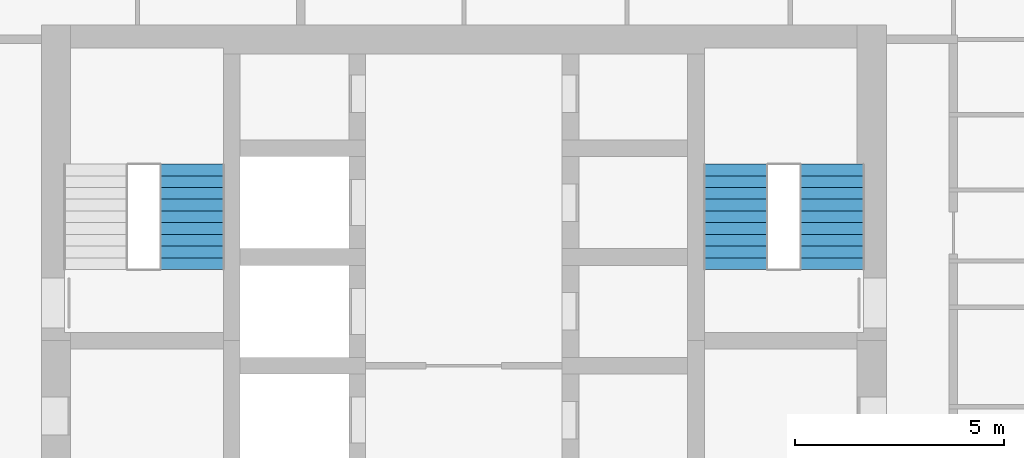
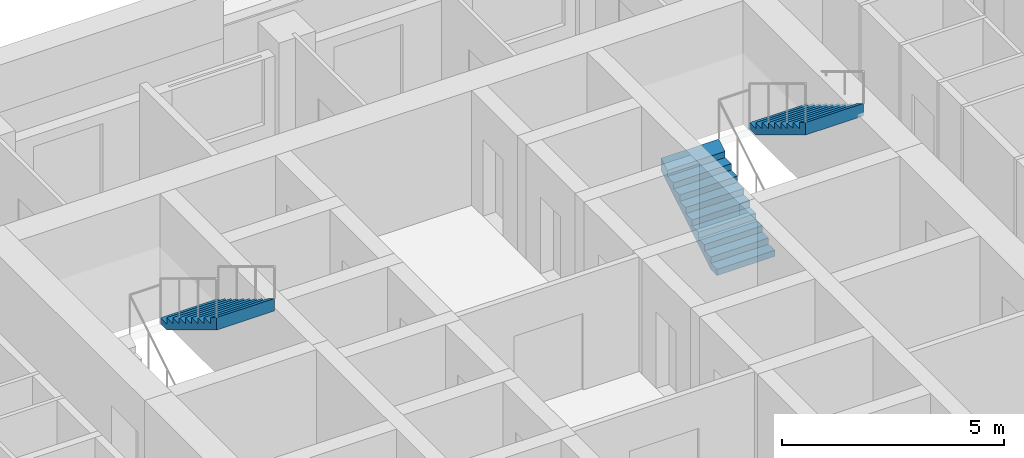
# One storey, part 15 of 18: 3 stair flights, 2 elements without a shape of their own.
"""IFC4 building model written with IfcOpenShell, lengths in metres."""

from ifc_helpers import new_model, si_unit, direction, frame, origin, place, context, subcontext, project, spatial, triangles, material, type_object, element, aggregate, save


model = new_model("IFC4")

# Units and contexts
model_context = context("Model", 3, precision=1e-05, world=origin(), true_north=direction((0.0, 1.0)))
body_context = subcontext(model_context, "Body", "Model", "MODEL_VIEW")
ifc_project = project(units=[si_unit("LENGTHUNIT", "METRE"), si_unit("AREAUNIT", "SQUARE_METRE"), si_unit("VOLUMEUNIT", "CUBIC_METRE"), si_unit("PLANEANGLEUNIT", "RADIAN"), si_unit("MASSUNIT", "GRAM", prefix="KILO")], contexts=[model_context])

# Site, building, storey
site_placement = place(None, origin())
site = spatial("IfcSite", under=ifc_project, at=site_placement, CompositionType="ELEMENT")
building_placement = place(site_placement, origin())
building = spatial("IfcBuilding", under=site, at=building_placement, Name="Ludao Terraces", CompositionType="ELEMENT")
storey_placement = place(building_placement, frame((0.0, 0.0, 58.0)))
storey = spatial("IfcBuildingStorey", under=building, at=storey_placement, Name="L15", CompositionType="ELEMENT", Elevation=58.0)

# Stair, stair flight
ifc_material = material(Name="Concrete C40", Category="concrete")
stair_type = type_object("IfcStairType", Name="INT Stair", PredefinedType="HALF_TURN_STAIR", material=ifc_material)
stair_1_placement = place(storey_placement, origin())
stair_1 = element("IfcStair", 1, at=stair_1_placement, inside=storey, type_object=stair_type, Name="EXIT STAIR 1", PredefinedType="HALF_TURN_STAIR")
stair_flight_type = type_object("IfcStairFlightType", Name="INT Stair flight", PredefinedType="STRAIGHT", material=ifc_material)
stair_flight_1_placement = place(storey_placement, frame((78.5, 81.52001953125, 1.699951171875), z_axis=(0.0, 0.0, 1.0), x_axis=(0.0, -1.0, 0.0)))
stair_flight_1 = element("IfcStairFlight", 2, at=stair_flight_1_placement, type_object=stair_flight_type, Name="ST1 flight 2", NumberOfRisers=10, NumberOfTreads=9, PredefinedType="STRAIGHT", RiserHeight=0.17, TreadLength=0.28, context=body_context, shape_type="Tessellation", body=[
    triangles([(0.0, -0.75, 0.0), (0.0, -0.5, 0.0), (0.0, -0.25, 0.0), (0.0, 0.0, 0.0), (0.0, 0.25, 0.0), (0.0, 0.5, 0.0), (0.0, 0.75, 0.0), (0.0, -0.75, 0.169921875), (0.0, -0.5, 0.169921875), (0.0, -0.25, 0.169921875), (0.0, 0.0, 0.169921875), (0.0, 0.25, 0.169921875), (0.0, 0.5, 0.169921875), (0.0, 0.75, 0.169921875), (0.280029296875, -0.75, 0.169921875), (0.280029296875, -0.5, 0.169921875), (0.280029296875, -0.25, 0.169921875), (0.280029296875, 0.0, 0.169921875), (0.280029296875, 0.25, 0.169921875), (0.280029296875, 0.5, 0.169921875), (0.280029296875, 0.75, 0.169921875), (0.280029296875, -0.75, 0.340087890625), (0.280029296875, -0.5, 0.340087890625), (0.280029296875, -0.25, 0.340087890625), (0.280029296875, 0.0, 0.340087890625), (0.280029296875, 0.25, 0.340087890625), (0.280029296875, 0.5, 0.340087890625), (0.280029296875, 0.75, 0.340087890625), (0.56005859375, -0.75, 0.340087890625), (0.56005859375, -0.5, 0.340087890625), (0.56005859375, -0.25, 0.340087890625), (0.56005859375, 0.0, 0.340087890625), (0.56005859375, 0.25, 0.340087890625), (0.56005859375, 0.5, 0.340087890625), (0.56005859375, 0.75, 0.340087890625), (0.56005859375, -0.75, 0.510009765625), (0.56005859375, -0.5, 0.510009765625), (0.56005859375, -0.25, 0.510009765625), (0.56005859375, 0.0, 0.510009765625), (0.56005859375, 0.25, 0.510009765625), (0.56005859375, 0.5, 0.510009765625), (0.56005859375, 0.75, 0.510009765625), (0.840087890625, -0.75, 0.510009765625), (0.840087890625, -0.5, 0.510009765625), (0.840087890625, -0.25, 0.510009765625), (0.840087890625, 0.0, 0.510009765625), (0.840087890625, 0.25, 0.510009765625), (0.840087890625, 0.5, 0.510009765625), (0.840087890625, 0.75, 0.510009765625), (0.840087890625, -0.75, 0.679931640625), (0.840087890625, -0.5, 0.679931640625), (0.840087890625, -0.25, 0.679931640625), (0.840087890625, 0.0, 0.679931640625), (0.840087890625, 0.25, 0.679931640625), (0.840087890625, 0.5, 0.679931640625), (0.840087890625, 0.75, 0.679931640625), (1.1201171875, -0.75, 0.679931640625), (1.1201171875, -0.5, 0.679931640625), (1.1201171875, -0.25, 0.679931640625), (1.1201171875, 0.0, 0.679931640625), (1.1201171875, 0.25, 0.679931640625), (1.1201171875, 0.5, 0.679931640625), (1.1201171875, 0.75, 0.679931640625), (1.1201171875, -0.75, 0.85009765625), (1.1201171875, -0.5, 0.85009765625), (1.1201171875, -0.25, 0.85009765625), (1.1201171875, 0.0, 0.85009765625), (1.1201171875, 0.25, 0.85009765625), (1.1201171875, 0.5, 0.85009765625), (1.1201171875, 0.75, 0.85009765625), (1.39990234375, -0.75, 0.85009765625), (1.39990234375, -0.5, 0.85009765625), (1.39990234375, -0.25, 0.85009765625), (1.39990234375, 0.0, 0.85009765625), (1.39990234375, 0.25, 0.85009765625), (1.39990234375, 0.5, 0.85009765625), (1.39990234375, 0.75, 0.85009765625), (1.39990234375, -0.75, 1.02001953125), (1.39990234375, -0.5, 1.02001953125), (1.39990234375, -0.25, 1.02001953125), (1.39990234375, 0.0, 1.02001953125), (1.39990234375, 0.25, 1.02001953125), (1.39990234375, 0.5, 1.02001953125), (1.39990234375, 0.75, 1.02001953125), (1.679931640625, -0.75, 1.02001953125), (1.679931640625, -0.5, 1.02001953125), (1.679931640625, -0.25, 1.02001953125), (1.679931640625, 0.0, 1.02001953125), (1.679931640625, 0.25, 1.02001953125), (1.679931640625, 0.5, 1.02001953125), (1.679931640625, 0.75, 1.02001953125), (1.679931640625, -0.75, 1.18994140625), (1.679931640625, -0.5, 1.18994140625), (1.679931640625, -0.25, 1.18994140625), (1.679931640625, 0.0, 1.18994140625), (1.679931640625, 0.25, 1.18994140625), (1.679931640625, 0.5, 1.18994140625), (1.679931640625, 0.75, 1.18994140625), (1.9599609375, -0.75, 1.18994140625), (1.9599609375, -0.5, 1.18994140625), (1.9599609375, -0.25, 1.18994140625), (1.9599609375, 0.0, 1.18994140625), (1.9599609375, 0.25, 1.18994140625), (1.9599609375, 0.5, 1.18994140625), (1.9599609375, 0.75, 1.18994140625), (1.9599609375, -0.75, 1.360107421875), (1.9599609375, -0.5, 1.360107421875), (1.9599609375, -0.25, 1.360107421875), (1.9599609375, 0.0, 1.360107421875), (1.9599609375, 0.25, 1.360107421875), (1.9599609375, 0.5, 1.360107421875), (1.9599609375, 0.75, 1.360107421875), (2.239990234375, -0.75, 1.360107421875), (2.239990234375, -0.5, 1.360107421875), (2.239990234375, -0.25, 1.360107421875), (2.239990234375, 0.0, 1.360107421875), (2.239990234375, 0.25, 1.360107421875), (2.239990234375, 0.5, 1.360107421875), (2.239990234375, 0.75, 1.360107421875), (2.239990234375, -0.75, 1.530029296875), (2.239990234375, -0.5, 1.530029296875), (2.239990234375, -0.25, 1.530029296875), (2.239990234375, 0.0, 1.530029296875), (2.239990234375, 0.25, 1.530029296875), (2.239990234375, 0.5, 1.530029296875), (2.239990234375, 0.75, 1.530029296875), (2.52001953125, -0.75, 1.699951171875), (2.52001953125, -0.5, 1.699951171875), (2.52001953125, -0.25, 1.699951171875), (2.52001953125, 0.0, 1.699951171875), (2.52001953125, 0.25, 1.699951171875), (2.52001953125, 0.5, 1.699951171875), (2.52001953125, 0.75, 1.699951171875), (2.52001953125, -0.75, 1.354736328125), (2.52001953125, -0.5, 1.354736328125), (2.52001953125, -0.25, 1.354736328125), (2.52001953125, 0.0, 1.354736328125), (2.52001953125, 0.25, 1.354736328125), (2.52001953125, 0.5, 1.354736328125), (2.52001953125, 0.75, 1.354736328125), (0.288818359375, -0.75, 0.0), (0.288818359375, -0.5, 0.0), (0.288818359375, -0.25, 0.0), (0.288818359375, 0.0, 0.0), (0.288818359375, 0.25, 0.0), (0.288818359375, 0.5, 0.0), (0.288818359375, 0.75, 0.0)], [[1, 141, 134], [7, 140, 147], [134, 127, 120], [140, 126, 133], [134, 120, 113], [140, 119, 126], [134, 113, 106], [140, 112, 119], [134, 106, 99], [140, 105, 112], [99, 92, 85], [105, 91, 98], [134, 99, 85], [140, 91, 105], [85, 78, 71], [91, 77, 84], [134, 85, 71], [140, 77, 91], [71, 64, 57], [77, 63, 70], [134, 71, 57], [140, 63, 77], [57, 50, 43], [63, 49, 56], [134, 57, 43], [140, 49, 63], [43, 36, 29], [49, 35, 42], [134, 43, 29], [140, 35, 49], [29, 22, 15], [35, 21, 28], [134, 29, 15], [140, 21, 35], [1, 134, 15], [7, 21, 140], [15, 8, 1], [21, 7, 14], [1, 9, 2], [1, 8, 9], [2, 10, 3], [2, 9, 10], [3, 11, 4], [3, 10, 11], [4, 12, 5], [4, 11, 12], [5, 13, 6], [5, 12, 13], [6, 14, 7], [6, 13, 14], [8, 16, 9], [8, 15, 16], [9, 17, 10], [9, 16, 17], [10, 18, 11], [10, 17, 18], [11, 19, 12], [11, 18, 19], [12, 20, 13], [12, 19, 20], [13, 21, 14], [13, 20, 21], [15, 23, 16], [15, 22, 23], [16, 24, 17], [16, 23, 24], [17, 25, 18], [17, 24, 25], [18, 26, 19], [18, 25, 26], [19, 27, 20], [19, 26, 27], [20, 28, 21], [20, 27, 28], [22, 30, 23], [22, 29, 30], [23, 31, 24], [23, 30, 31], [24, 32, 25], [24, 31, 32], [25, 33, 26], [25, 32, 33], [26, 34, 27], [26, 33, 34], [27, 35, 28], [27, 34, 35], [29, 37, 30], [29, 36, 37], [30, 38, 31], [30, 37, 38], [31, 39, 32], [31, 38, 39], [32, 40, 33], [32, 39, 40], [33, 41, 34], [33, 40, 41], [34, 42, 35], [34, 41, 42], [36, 44, 37], [36, 43, 44], [37, 45, 38], [37, 44, 45], [38, 46, 39], [38, 45, 46], [39, 47, 40], [39, 46, 47], [40, 48, 41], [40, 47, 48], [41, 49, 42], [41, 48, 49], [43, 51, 44], [43, 50, 51], [44, 52, 45], [44, 51, 52], [45, 53, 46], [45, 52, 53], [46, 54, 47], [46, 53, 54], [47, 55, 48], [47, 54, 55], [48, 56, 49], [48, 55, 56], [50, 58, 51], [50, 57, 58], [51, 59, 52], [51, 58, 59], [52, 60, 53], [52, 59, 60], [53, 61, 54], [53, 60, 61], [54, 62, 55], [54, 61, 62], [55, 63, 56], [55, 62, 63], [57, 65, 58], [57, 64, 65], [58, 66, 59], [58, 65, 66], [59, 67, 60], [59, 66, 67], [60, 68, 61], [60, 67, 68], [61, 69, 62], [61, 68, 69], [62, 70, 63], [62, 69, 70], [64, 72, 65], [64, 71, 72], [65, 73, 66], [65, 72, 73], [66, 74, 67], [66, 73, 74], [67, 75, 68], [67, 74, 75], [68, 76, 69], [68, 75, 76], [69, 77, 70], [69, 76, 77], [71, 79, 72], [71, 78, 79], [72, 80, 73], [72, 79, 80], [73, 81, 74], [73, 80, 81], [74, 82, 75], [74, 81, 82], [75, 83, 76], [75, 82, 83], [76, 84, 77], [76, 83, 84], [78, 86, 79], [78, 85, 86], [79, 87, 80], [79, 86, 87], [80, 88, 81], [80, 87, 88], [81, 89, 82], [81, 88, 89], [82, 90, 83], [82, 89, 90], [83, 91, 84], [83, 90, 91], [85, 93, 86], [85, 92, 93], [86, 94, 87], [86, 93, 94], [87, 95, 88], [87, 94, 95], [88, 96, 89], [88, 95, 96], [89, 97, 90], [89, 96, 97], [90, 98, 91], [90, 97, 98], [92, 100, 93], [92, 99, 100], [93, 101, 94], [93, 100, 101], [94, 102, 95], [94, 101, 102], [95, 103, 96], [95, 102, 103], [96, 104, 97], [96, 103, 104], [97, 105, 98], [97, 104, 105], [99, 107, 100], [99, 106, 107], [100, 108, 101], [100, 107, 108], [101, 109, 102], [101, 108, 109], [102, 110, 103], [102, 109, 110], [103, 111, 104], [103, 110, 111], [104, 112, 105], [104, 111, 112], [106, 114, 107], [106, 113, 114], [107, 115, 108], [107, 114, 115], [108, 116, 109], [108, 115, 116], [109, 117, 110], [109, 116, 117], [110, 118, 111], [110, 117, 118], [111, 119, 112], [111, 118, 119], [113, 121, 114], [113, 120, 121], [114, 122, 115], [114, 121, 122], [115, 123, 116], [115, 122, 123], [116, 124, 117], [116, 123, 124], [117, 125, 118], [117, 124, 125], [118, 126, 119], [118, 125, 126], [120, 128, 121], [120, 127, 128], [121, 129, 122], [121, 128, 129], [122, 130, 123], [122, 129, 130], [123, 131, 124], [123, 130, 131], [124, 132, 125], [124, 131, 132], [125, 133, 126], [125, 132, 133], [127, 135, 128], [127, 134, 135], [128, 136, 129], [128, 135, 136], [129, 137, 130], [129, 136, 137], [130, 138, 131], [130, 137, 138], [131, 139, 132], [131, 138, 139], [132, 140, 133], [132, 139, 140], [134, 142, 135], [134, 141, 142], [135, 143, 136], [135, 142, 143], [136, 144, 137], [136, 143, 144], [137, 145, 138], [137, 144, 145], [138, 146, 139], [138, 145, 146], [139, 147, 140], [139, 146, 147], [141, 2, 142], [141, 1, 2], [142, 3, 143], [142, 2, 3], [143, 4, 144], [143, 3, 4], [144, 5, 145], [144, 4, 5], [145, 6, 146], [145, 5, 6], [146, 7, 147], [146, 6, 7]], closed=True),
])
aggregate(stair_1, [stair_flight_1])

# Stair, stair flights
stair_2_placement = place(storey_placement, origin())
stair_2 = element("IfcStair", 3, at=stair_2_placement, inside=storey, type_object=stair_type, Name="EXIT STAIR 2", PredefinedType="HALF_TURN_STAIR")
stair_flight_2_placement = place(storey_placement, frame((91.5, 79.0, 0.0), z_axis=(0.0, 0.0, 1.0), x_axis=(0.0, 1.0, 0.0)))
stair_flight_2 = element("IfcStairFlight", 4, at=stair_flight_2_placement, type_object=stair_flight_type, Name="ST2 flight 1", NumberOfRisers=10, NumberOfTreads=9, PredefinedType="STRAIGHT", RiserHeight=0.17, TreadLength=0.28, context=body_context, shape_type="Tessellation", body=[
    triangles([(0.0, -0.75, 0.0), (0.0, -0.5, 0.0), (0.0, -0.25, 0.0), (0.0, 0.0, 0.0), (0.0, 0.25, 0.0), (0.0, 0.5, 0.0), (0.0, 0.75, 0.0), (0.0, -0.75, 0.169921875), (0.0, -0.5, 0.169921875), (0.0, -0.25, 0.169921875), (0.0, 0.0, 0.169921875), (0.0, 0.25, 0.169921875), (0.0, 0.5, 0.169921875), (0.0, 0.75, 0.169921875), (0.280029296875, -0.75, 0.169921875), (0.280029296875, -0.5, 0.169921875), (0.280029296875, -0.25, 0.169921875), (0.280029296875, 0.0, 0.169921875), (0.280029296875, 0.25, 0.169921875), (0.280029296875, 0.5, 0.169921875), (0.280029296875, 0.75, 0.169921875), (0.280029296875, -0.75, 0.340087890625), (0.280029296875, -0.5, 0.340087890625), (0.280029296875, -0.25, 0.340087890625), (0.280029296875, 0.0, 0.340087890625), (0.280029296875, 0.25, 0.340087890625), (0.280029296875, 0.5, 0.340087890625), (0.280029296875, 0.75, 0.340087890625), (0.56005859375, -0.75, 0.340087890625), (0.56005859375, -0.5, 0.340087890625), (0.56005859375, -0.25, 0.340087890625), (0.56005859375, 0.0, 0.340087890625), (0.56005859375, 0.25, 0.340087890625), (0.56005859375, 0.5, 0.340087890625), (0.56005859375, 0.75, 0.340087890625), (0.56005859375, -0.75, 0.510009765625), (0.56005859375, -0.5, 0.510009765625), (0.56005859375, -0.25, 0.510009765625), (0.56005859375, 0.0, 0.510009765625), (0.56005859375, 0.25, 0.510009765625), (0.56005859375, 0.5, 0.510009765625), (0.56005859375, 0.75, 0.510009765625), (0.840087890625, -0.75, 0.510009765625), (0.840087890625, -0.5, 0.510009765625), (0.840087890625, -0.25, 0.510009765625), (0.840087890625, 0.0, 0.510009765625), (0.840087890625, 0.25, 0.510009765625), (0.840087890625, 0.5, 0.510009765625), (0.840087890625, 0.75, 0.510009765625), (0.840087890625, -0.75, 0.679931640625), (0.840087890625, -0.5, 0.679931640625), (0.840087890625, -0.25, 0.679931640625), (0.840087890625, 0.0, 0.679931640625), (0.840087890625, 0.25, 0.679931640625), (0.840087890625, 0.5, 0.679931640625), (0.840087890625, 0.75, 0.679931640625), (1.1201171875, -0.75, 0.679931640625), (1.1201171875, -0.5, 0.679931640625), (1.1201171875, -0.25, 0.679931640625), (1.1201171875, 0.0, 0.679931640625), (1.1201171875, 0.25, 0.679931640625), (1.1201171875, 0.5, 0.679931640625), (1.1201171875, 0.75, 0.679931640625), (1.1201171875, -0.75, 0.85009765625), (1.1201171875, -0.5, 0.85009765625), (1.1201171875, -0.25, 0.85009765625), (1.1201171875, 0.0, 0.85009765625), (1.1201171875, 0.25, 0.85009765625), (1.1201171875, 0.5, 0.85009765625), (1.1201171875, 0.75, 0.85009765625), (1.39990234375, -0.75, 0.85009765625), (1.39990234375, -0.5, 0.85009765625), (1.39990234375, -0.25, 0.85009765625), (1.39990234375, 0.0, 0.85009765625), (1.39990234375, 0.25, 0.85009765625), (1.39990234375, 0.5, 0.85009765625), (1.39990234375, 0.75, 0.85009765625), (1.39990234375, -0.75, 1.02001953125), (1.39990234375, -0.5, 1.02001953125), (1.39990234375, -0.25, 1.02001953125), (1.39990234375, 0.0, 1.02001953125), (1.39990234375, 0.25, 1.02001953125), (1.39990234375, 0.5, 1.02001953125), (1.39990234375, 0.75, 1.02001953125), (1.679931640625, -0.75, 1.02001953125), (1.679931640625, -0.5, 1.02001953125), (1.679931640625, -0.25, 1.02001953125), (1.679931640625, 0.0, 1.02001953125), (1.679931640625, 0.25, 1.02001953125), (1.679931640625, 0.5, 1.02001953125), (1.679931640625, 0.75, 1.02001953125), (1.679931640625, -0.75, 1.18994140625), (1.679931640625, -0.5, 1.18994140625), (1.679931640625, -0.25, 1.18994140625), (1.679931640625, 0.0, 1.18994140625), (1.679931640625, 0.25, 1.18994140625), (1.679931640625, 0.5, 1.18994140625), (1.679931640625, 0.75, 1.18994140625), (1.9599609375, -0.75, 1.18994140625), (1.9599609375, -0.5, 1.18994140625), (1.9599609375, -0.25, 1.18994140625), (1.9599609375, 0.0, 1.18994140625), (1.9599609375, 0.25, 1.18994140625), (1.9599609375, 0.5, 1.18994140625), (1.9599609375, 0.75, 1.18994140625), (1.9599609375, -0.75, 1.360107421875), (1.9599609375, -0.5, 1.360107421875), (1.9599609375, -0.25, 1.360107421875), (1.9599609375, 0.0, 1.360107421875), (1.9599609375, 0.25, 1.360107421875), (1.9599609375, 0.5, 1.360107421875), (1.9599609375, 0.75, 1.360107421875), (2.239990234375, -0.75, 1.360107421875), (2.239990234375, -0.5, 1.360107421875), (2.239990234375, -0.25, 1.360107421875), (2.239990234375, 0.0, 1.360107421875), (2.239990234375, 0.25, 1.360107421875), (2.239990234375, 0.5, 1.360107421875), (2.239990234375, 0.75, 1.360107421875), (2.239990234375, -0.75, 1.530029296875), (2.239990234375, -0.5, 1.530029296875), (2.239990234375, -0.25, 1.530029296875), (2.239990234375, 0.0, 1.530029296875), (2.239990234375, 0.25, 1.530029296875), (2.239990234375, 0.5, 1.530029296875), (2.239990234375, 0.75, 1.530029296875), (2.52001953125, -0.75, 1.699951171875), (2.52001953125, -0.5, 1.699951171875), (2.52001953125, -0.25, 1.699951171875), (2.52001953125, 0.0, 1.699951171875), (2.52001953125, 0.25, 1.699951171875), (2.52001953125, 0.5, 1.699951171875), (2.52001953125, 0.75, 1.699951171875), (2.52001953125, -0.75, 1.354736328125), (2.52001953125, -0.5, 1.354736328125), (2.52001953125, -0.25, 1.354736328125), (2.52001953125, 0.0, 1.354736328125), (2.52001953125, 0.25, 1.354736328125), (2.52001953125, 0.5, 1.354736328125), (2.52001953125, 0.75, 1.354736328125), (0.288818359375, -0.75, 0.0), (0.288818359375, -0.5, 0.0), (0.288818359375, -0.25, 0.0), (0.288818359375, 0.0, 0.0), (0.288818359375, 0.25, 0.0), (0.288818359375, 0.5, 0.0), (0.288818359375, 0.75, 0.0)], [[1, 141, 134], [7, 140, 147], [134, 127, 120], [140, 126, 133], [134, 120, 113], [140, 119, 126], [134, 113, 106], [140, 112, 119], [134, 106, 99], [140, 105, 112], [99, 92, 85], [105, 91, 98], [134, 99, 85], [140, 91, 105], [85, 78, 71], [91, 77, 84], [134, 85, 71], [140, 77, 91], [71, 64, 57], [77, 63, 70], [134, 71, 57], [140, 63, 77], [57, 50, 43], [63, 49, 56], [134, 57, 43], [140, 49, 63], [43, 36, 29], [49, 35, 42], [134, 43, 29], [140, 35, 49], [29, 22, 15], [35, 21, 28], [134, 29, 15], [140, 21, 35], [1, 134, 15], [7, 21, 140], [15, 8, 1], [21, 7, 14], [1, 9, 2], [1, 8, 9], [2, 10, 3], [2, 9, 10], [3, 11, 4], [3, 10, 11], [4, 12, 5], [4, 11, 12], [5, 13, 6], [5, 12, 13], [6, 14, 7], [6, 13, 14], [8, 16, 9], [8, 15, 16], [9, 17, 10], [9, 16, 17], [10, 18, 11], [10, 17, 18], [11, 19, 12], [11, 18, 19], [12, 20, 13], [12, 19, 20], [13, 21, 14], [13, 20, 21], [15, 23, 16], [15, 22, 23], [16, 24, 17], [16, 23, 24], [17, 25, 18], [17, 24, 25], [18, 26, 19], [18, 25, 26], [19, 27, 20], [19, 26, 27], [20, 28, 21], [20, 27, 28], [22, 30, 23], [22, 29, 30], [23, 31, 24], [23, 30, 31], [24, 32, 25], [24, 31, 32], [25, 33, 26], [25, 32, 33], [26, 34, 27], [26, 33, 34], [27, 35, 28], [27, 34, 35], [29, 37, 30], [29, 36, 37], [30, 38, 31], [30, 37, 38], [31, 39, 32], [31, 38, 39], [32, 40, 33], [32, 39, 40], [33, 41, 34], [33, 40, 41], [34, 42, 35], [34, 41, 42], [36, 44, 37], [36, 43, 44], [37, 45, 38], [37, 44, 45], [38, 46, 39], [38, 45, 46], [39, 47, 40], [39, 46, 47], [40, 48, 41], [40, 47, 48], [41, 49, 42], [41, 48, 49], [43, 51, 44], [43, 50, 51], [44, 52, 45], [44, 51, 52], [45, 53, 46], [45, 52, 53], [46, 54, 47], [46, 53, 54], [47, 55, 48], [47, 54, 55], [48, 56, 49], [48, 55, 56], [50, 58, 51], [50, 57, 58], [51, 59, 52], [51, 58, 59], [52, 60, 53], [52, 59, 60], [53, 61, 54], [53, 60, 61], [54, 62, 55], [54, 61, 62], [55, 63, 56], [55, 62, 63], [57, 65, 58], [57, 64, 65], [58, 66, 59], [58, 65, 66], [59, 67, 60], [59, 66, 67], [60, 68, 61], [60, 67, 68], [61, 69, 62], [61, 68, 69], [62, 70, 63], [62, 69, 70], [64, 72, 65], [64, 71, 72], [65, 73, 66], [65, 72, 73], [66, 74, 67], [66, 73, 74], [67, 75, 68], [67, 74, 75], [68, 76, 69], [68, 75, 76], [69, 77, 70], [69, 76, 77], [71, 79, 72], [71, 78, 79], [72, 80, 73], [72, 79, 80], [73, 81, 74], [73, 80, 81], [74, 82, 75], [74, 81, 82], [75, 83, 76], [75, 82, 83], [76, 84, 77], [76, 83, 84], [78, 86, 79], [78, 85, 86], [79, 87, 80], [79, 86, 87], [80, 88, 81], [80, 87, 88], [81, 89, 82], [81, 88, 89], [82, 90, 83], [82, 89, 90], [83, 91, 84], [83, 90, 91], [85, 93, 86], [85, 92, 93], [86, 94, 87], [86, 93, 94], [87, 95, 88], [87, 94, 95], [88, 96, 89], [88, 95, 96], [89, 97, 90], [89, 96, 97], [90, 98, 91], [90, 97, 98], [92, 100, 93], [92, 99, 100], [93, 101, 94], [93, 100, 101], [94, 102, 95], [94, 101, 102], [95, 103, 96], [95, 102, 103], [96, 104, 97], [96, 103, 104], [97, 105, 98], [97, 104, 105], [99, 107, 100], [99, 106, 107], [100, 108, 101], [100, 107, 108], [101, 109, 102], [101, 108, 109], [102, 110, 103], [102, 109, 110], [103, 111, 104], [103, 110, 111], [104, 112, 105], [104, 111, 112], [106, 114, 107], [106, 113, 114], [107, 115, 108], [107, 114, 115], [108, 116, 109], [108, 115, 116], [109, 117, 110], [109, 116, 117], [110, 118, 111], [110, 117, 118], [111, 119, 112], [111, 118, 119], [113, 121, 114], [113, 120, 121], [114, 122, 115], [114, 121, 122], [115, 123, 116], [115, 122, 123], [116, 124, 117], [116, 123, 124], [117, 125, 118], [117, 124, 125], [118, 126, 119], [118, 125, 126], [120, 128, 121], [120, 127, 128], [121, 129, 122], [121, 128, 129], [122, 130, 123], [122, 129, 130], [123, 131, 124], [123, 130, 131], [124, 132, 125], [124, 131, 132], [125, 133, 126], [125, 132, 133], [127, 135, 128], [127, 134, 135], [128, 136, 129], [128, 135, 136], [129, 137, 130], [129, 136, 137], [130, 138, 131], [130, 137, 138], [131, 139, 132], [131, 138, 139], [132, 140, 133], [132, 139, 140], [134, 142, 135], [134, 141, 142], [135, 143, 136], [135, 142, 143], [136, 144, 137], [136, 143, 144], [137, 145, 138], [137, 144, 145], [138, 146, 139], [138, 145, 146], [139, 147, 140], [139, 146, 147], [141, 2, 142], [141, 1, 2], [142, 3, 143], [142, 2, 3], [143, 4, 144], [143, 3, 4], [144, 5, 145], [144, 4, 5], [145, 6, 146], [145, 5, 6], [146, 7, 147], [146, 6, 7]], closed=True),
])
stair_flight_3_placement = place(storey_placement, frame((93.800048828125, 81.52001953125, 1.699951171875), z_axis=(0.0, 0.0, 1.0), x_axis=(0.0, -1.0, 0.0)))
stair_flight_3 = element("IfcStairFlight", 5, at=stair_flight_3_placement, type_object=stair_flight_type, Name="ST2 flight 2", NumberOfRisers=10, NumberOfTreads=9, PredefinedType="STRAIGHT", RiserHeight=0.17, TreadLength=0.28, context=body_context, shape_type="Tessellation", body=[
    triangles([(0.0, -0.75, 0.0), (0.0, -0.5, 0.0), (0.0, -0.25, 0.0), (0.0, 0.0, 0.0), (0.0, 0.25, 0.0), (0.0, 0.5, 0.0), (0.0, 0.75, 0.0), (0.0, -0.75, 0.169921875), (0.0, -0.5, 0.169921875), (0.0, -0.25, 0.169921875), (0.0, 0.0, 0.169921875), (0.0, 0.25, 0.169921875), (0.0, 0.5, 0.169921875), (0.0, 0.75, 0.169921875), (0.280029296875, -0.75, 0.169921875), (0.280029296875, -0.5, 0.169921875), (0.280029296875, -0.25, 0.169921875), (0.280029296875, 0.0, 0.169921875), (0.280029296875, 0.25, 0.169921875), (0.280029296875, 0.5, 0.169921875), (0.280029296875, 0.75, 0.169921875), (0.280029296875, -0.75, 0.340087890625), (0.280029296875, -0.5, 0.340087890625), (0.280029296875, -0.25, 0.340087890625), (0.280029296875, 0.0, 0.340087890625), (0.280029296875, 0.25, 0.340087890625), (0.280029296875, 0.5, 0.340087890625), (0.280029296875, 0.75, 0.340087890625), (0.56005859375, -0.75, 0.340087890625), (0.56005859375, -0.5, 0.340087890625), (0.56005859375, -0.25, 0.340087890625), (0.56005859375, 0.0, 0.340087890625), (0.56005859375, 0.25, 0.340087890625), (0.56005859375, 0.5, 0.340087890625), (0.56005859375, 0.75, 0.340087890625), (0.56005859375, -0.75, 0.510009765625), (0.56005859375, -0.5, 0.510009765625), (0.56005859375, -0.25, 0.510009765625), (0.56005859375, 0.0, 0.510009765625), (0.56005859375, 0.25, 0.510009765625), (0.56005859375, 0.5, 0.510009765625), (0.56005859375, 0.75, 0.510009765625), (0.840087890625, -0.75, 0.510009765625), (0.840087890625, -0.5, 0.510009765625), (0.840087890625, -0.25, 0.510009765625), (0.840087890625, 0.0, 0.510009765625), (0.840087890625, 0.25, 0.510009765625), (0.840087890625, 0.5, 0.510009765625), (0.840087890625, 0.75, 0.510009765625), (0.840087890625, -0.75, 0.679931640625), (0.840087890625, -0.5, 0.679931640625), (0.840087890625, -0.25, 0.679931640625), (0.840087890625, 0.0, 0.679931640625), (0.840087890625, 0.25, 0.679931640625), (0.840087890625, 0.5, 0.679931640625), (0.840087890625, 0.75, 0.679931640625), (1.1201171875, -0.75, 0.679931640625), (1.1201171875, -0.5, 0.679931640625), (1.1201171875, -0.25, 0.679931640625), (1.1201171875, 0.0, 0.679931640625), (1.1201171875, 0.25, 0.679931640625), (1.1201171875, 0.5, 0.679931640625), (1.1201171875, 0.75, 0.679931640625), (1.1201171875, -0.75, 0.85009765625), (1.1201171875, -0.5, 0.85009765625), (1.1201171875, -0.25, 0.85009765625), (1.1201171875, 0.0, 0.85009765625), (1.1201171875, 0.25, 0.85009765625), (1.1201171875, 0.5, 0.85009765625), (1.1201171875, 0.75, 0.85009765625), (1.39990234375, -0.75, 0.85009765625), (1.39990234375, -0.5, 0.85009765625), (1.39990234375, -0.25, 0.85009765625), (1.39990234375, 0.0, 0.85009765625), (1.39990234375, 0.25, 0.85009765625), (1.39990234375, 0.5, 0.85009765625), (1.39990234375, 0.75, 0.85009765625), (1.39990234375, -0.75, 1.02001953125), (1.39990234375, -0.5, 1.02001953125), (1.39990234375, -0.25, 1.02001953125), (1.39990234375, 0.0, 1.02001953125), (1.39990234375, 0.25, 1.02001953125), (1.39990234375, 0.5, 1.02001953125), (1.39990234375, 0.75, 1.02001953125), (1.679931640625, -0.75, 1.02001953125), (1.679931640625, -0.5, 1.02001953125), (1.679931640625, -0.25, 1.02001953125), (1.679931640625, 0.0, 1.02001953125), (1.679931640625, 0.25, 1.02001953125), (1.679931640625, 0.5, 1.02001953125), (1.679931640625, 0.75, 1.02001953125), (1.679931640625, -0.75, 1.18994140625), (1.679931640625, -0.5, 1.18994140625), (1.679931640625, -0.25, 1.18994140625), (1.679931640625, 0.0, 1.18994140625), (1.679931640625, 0.25, 1.18994140625), (1.679931640625, 0.5, 1.18994140625), (1.679931640625, 0.75, 1.18994140625), (1.9599609375, -0.75, 1.18994140625), (1.9599609375, -0.5, 1.18994140625), (1.9599609375, -0.25, 1.18994140625), (1.9599609375, 0.0, 1.18994140625), (1.9599609375, 0.25, 1.18994140625), (1.9599609375, 0.5, 1.18994140625), (1.9599609375, 0.75, 1.18994140625), (1.9599609375, -0.75, 1.360107421875), (1.9599609375, -0.5, 1.360107421875), (1.9599609375, -0.25, 1.360107421875), (1.9599609375, 0.0, 1.360107421875), (1.9599609375, 0.25, 1.360107421875), (1.9599609375, 0.5, 1.360107421875), (1.9599609375, 0.75, 1.360107421875), (2.239990234375, -0.75, 1.360107421875), (2.239990234375, -0.5, 1.360107421875), (2.239990234375, -0.25, 1.360107421875), (2.239990234375, 0.0, 1.360107421875), (2.239990234375, 0.25, 1.360107421875), (2.239990234375, 0.5, 1.360107421875), (2.239990234375, 0.75, 1.360107421875), (2.239990234375, -0.75, 1.530029296875), (2.239990234375, -0.5, 1.530029296875), (2.239990234375, -0.25, 1.530029296875), (2.239990234375, 0.0, 1.530029296875), (2.239990234375, 0.25, 1.530029296875), (2.239990234375, 0.5, 1.530029296875), (2.239990234375, 0.75, 1.530029296875), (2.52001953125, -0.75, 1.699951171875), (2.52001953125, -0.5, 1.699951171875), (2.52001953125, -0.25, 1.699951171875), (2.52001953125, 0.0, 1.699951171875), (2.52001953125, 0.25, 1.699951171875), (2.52001953125, 0.5, 1.699951171875), (2.52001953125, 0.75, 1.699951171875), (2.52001953125, -0.75, 1.354736328125), (2.52001953125, -0.5, 1.354736328125), (2.52001953125, -0.25, 1.354736328125), (2.52001953125, 0.0, 1.354736328125), (2.52001953125, 0.25, 1.354736328125), (2.52001953125, 0.5, 1.354736328125), (2.52001953125, 0.75, 1.354736328125), (0.288818359375, -0.75, 0.0), (0.288818359375, -0.5, 0.0), (0.288818359375, -0.25, 0.0), (0.288818359375, 0.0, 0.0), (0.288818359375, 0.25, 0.0), (0.288818359375, 0.5, 0.0), (0.288818359375, 0.75, 0.0)], [[1, 141, 134], [7, 140, 147], [134, 127, 120], [140, 126, 133], [134, 120, 113], [140, 119, 126], [134, 113, 106], [140, 112, 119], [134, 106, 99], [140, 105, 112], [99, 92, 85], [105, 91, 98], [134, 99, 85], [140, 91, 105], [85, 78, 71], [91, 77, 84], [134, 85, 71], [140, 77, 91], [71, 64, 57], [77, 63, 70], [134, 71, 57], [140, 63, 77], [57, 50, 43], [63, 49, 56], [134, 57, 43], [140, 49, 63], [43, 36, 29], [49, 35, 42], [134, 43, 29], [140, 35, 49], [29, 22, 15], [35, 21, 28], [134, 29, 15], [140, 21, 35], [1, 134, 15], [7, 21, 140], [15, 8, 1], [21, 7, 14], [1, 9, 2], [1, 8, 9], [2, 10, 3], [2, 9, 10], [3, 11, 4], [3, 10, 11], [4, 12, 5], [4, 11, 12], [5, 13, 6], [5, 12, 13], [6, 14, 7], [6, 13, 14], [8, 16, 9], [8, 15, 16], [9, 17, 10], [9, 16, 17], [10, 18, 11], [10, 17, 18], [11, 19, 12], [11, 18, 19], [12, 20, 13], [12, 19, 20], [13, 21, 14], [13, 20, 21], [15, 23, 16], [15, 22, 23], [16, 24, 17], [16, 23, 24], [17, 25, 18], [17, 24, 25], [18, 26, 19], [18, 25, 26], [19, 27, 20], [19, 26, 27], [20, 28, 21], [20, 27, 28], [22, 30, 23], [22, 29, 30], [23, 31, 24], [23, 30, 31], [24, 32, 25], [24, 31, 32], [25, 33, 26], [25, 32, 33], [26, 34, 27], [26, 33, 34], [27, 35, 28], [27, 34, 35], [29, 37, 30], [29, 36, 37], [30, 38, 31], [30, 37, 38], [31, 39, 32], [31, 38, 39], [32, 40, 33], [32, 39, 40], [33, 41, 34], [33, 40, 41], [34, 42, 35], [34, 41, 42], [36, 44, 37], [36, 43, 44], [37, 45, 38], [37, 44, 45], [38, 46, 39], [38, 45, 46], [39, 47, 40], [39, 46, 47], [40, 48, 41], [40, 47, 48], [41, 49, 42], [41, 48, 49], [43, 51, 44], [43, 50, 51], [44, 52, 45], [44, 51, 52], [45, 53, 46], [45, 52, 53], [46, 54, 47], [46, 53, 54], [47, 55, 48], [47, 54, 55], [48, 56, 49], [48, 55, 56], [50, 58, 51], [50, 57, 58], [51, 59, 52], [51, 58, 59], [52, 60, 53], [52, 59, 60], [53, 61, 54], [53, 60, 61], [54, 62, 55], [54, 61, 62], [55, 63, 56], [55, 62, 63], [57, 65, 58], [57, 64, 65], [58, 66, 59], [58, 65, 66], [59, 67, 60], [59, 66, 67], [60, 68, 61], [60, 67, 68], [61, 69, 62], [61, 68, 69], [62, 70, 63], [62, 69, 70], [64, 72, 65], [64, 71, 72], [65, 73, 66], [65, 72, 73], [66, 74, 67], [66, 73, 74], [67, 75, 68], [67, 74, 75], [68, 76, 69], [68, 75, 76], [69, 77, 70], [69, 76, 77], [71, 79, 72], [71, 78, 79], [72, 80, 73], [72, 79, 80], [73, 81, 74], [73, 80, 81], [74, 82, 75], [74, 81, 82], [75, 83, 76], [75, 82, 83], [76, 84, 77], [76, 83, 84], [78, 86, 79], [78, 85, 86], [79, 87, 80], [79, 86, 87], [80, 88, 81], [80, 87, 88], [81, 89, 82], [81, 88, 89], [82, 90, 83], [82, 89, 90], [83, 91, 84], [83, 90, 91], [85, 93, 86], [85, 92, 93], [86, 94, 87], [86, 93, 94], [87, 95, 88], [87, 94, 95], [88, 96, 89], [88, 95, 96], [89, 97, 90], [89, 96, 97], [90, 98, 91], [90, 97, 98], [92, 100, 93], [92, 99, 100], [93, 101, 94], [93, 100, 101], [94, 102, 95], [94, 101, 102], [95, 103, 96], [95, 102, 103], [96, 104, 97], [96, 103, 104], [97, 105, 98], [97, 104, 105], [99, 107, 100], [99, 106, 107], [100, 108, 101], [100, 107, 108], [101, 109, 102], [101, 108, 109], [102, 110, 103], [102, 109, 110], [103, 111, 104], [103, 110, 111], [104, 112, 105], [104, 111, 112], [106, 114, 107], [106, 113, 114], [107, 115, 108], [107, 114, 115], [108, 116, 109], [108, 115, 116], [109, 117, 110], [109, 116, 117], [110, 118, 111], [110, 117, 118], [111, 119, 112], [111, 118, 119], [113, 121, 114], [113, 120, 121], [114, 122, 115], [114, 121, 122], [115, 123, 116], [115, 122, 123], [116, 124, 117], [116, 123, 124], [117, 125, 118], [117, 124, 125], [118, 126, 119], [118, 125, 126], [120, 128, 121], [120, 127, 128], [121, 129, 122], [121, 128, 129], [122, 130, 123], [122, 129, 130], [123, 131, 124], [123, 130, 131], [124, 132, 125], [124, 131, 132], [125, 133, 126], [125, 132, 133], [127, 135, 128], [127, 134, 135], [128, 136, 129], [128, 135, 136], [129, 137, 130], [129, 136, 137], [130, 138, 131], [130, 137, 138], [131, 139, 132], [131, 138, 139], [132, 140, 133], [132, 139, 140], [134, 142, 135], [134, 141, 142], [135, 143, 136], [135, 142, 143], [136, 144, 137], [136, 143, 144], [137, 145, 138], [137, 144, 145], [138, 146, 139], [138, 145, 146], [139, 147, 140], [139, 146, 147], [141, 2, 142], [141, 1, 2], [142, 3, 143], [142, 2, 3], [143, 4, 144], [143, 3, 4], [144, 5, 145], [144, 4, 5], [145, 6, 146], [145, 5, 6], [146, 7, 147], [146, 6, 7]], closed=True),
])
aggregate(stair_2, [stair_flight_2, stair_flight_3])

save(model, "model.ifc")
